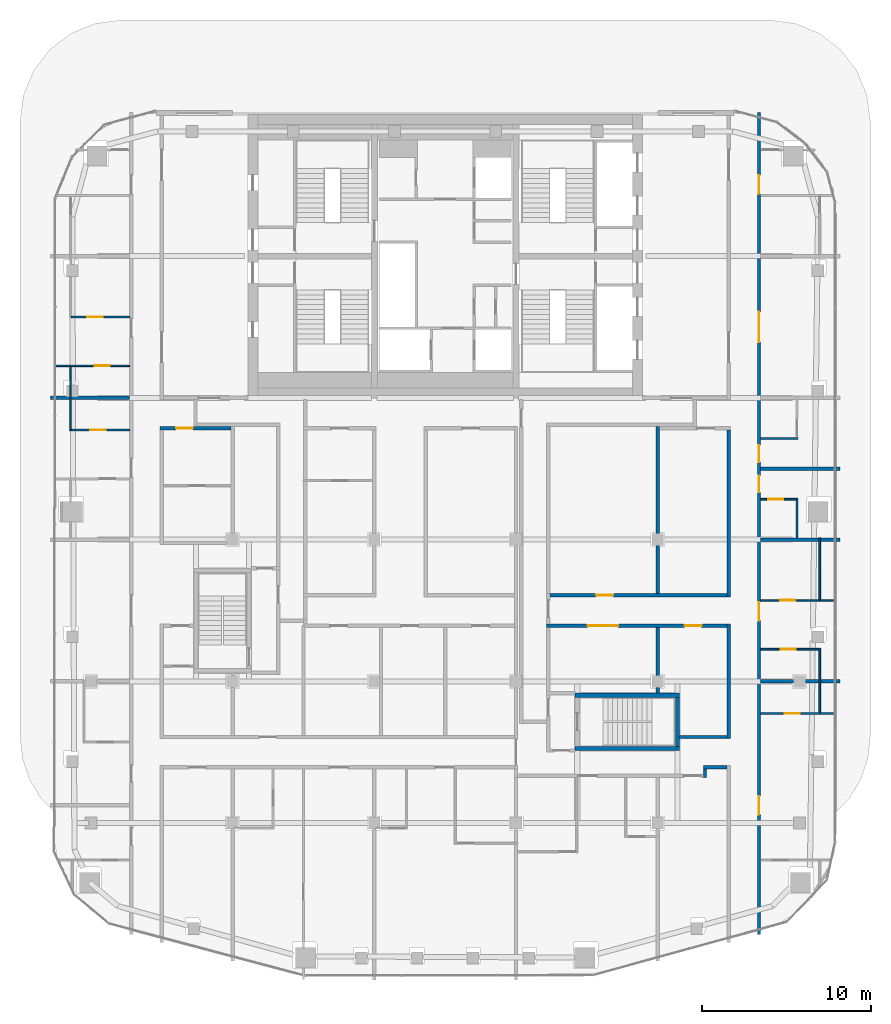
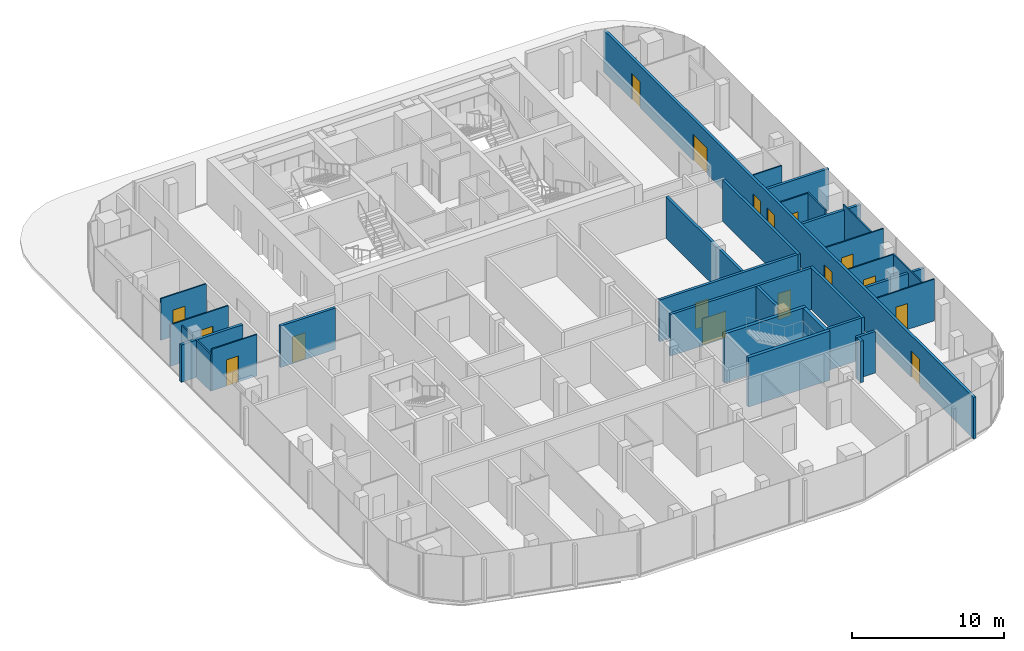
# One storey, part 16 of 21: 30 walls, 17 doors, 17 openings.
"""IFC4 building model written with IfcOpenShell, lengths in metres."""

from ifc_helpers import new_model, si_unit, direction, frame, frame_2d, origin, place, context, subcontext, project, spatial, rectangle, extrude, material, layer, layer_set, type_object, element, fill, save


model = new_model("IFC4")

# Units and contexts
model_context = context("Model", 3, precision=1e-05, world=origin(), true_north=direction((0.0, 1.0)))
body_context = subcontext(model_context, "Body", "Model", "MODEL_VIEW")
ifc_project = project(units=[si_unit("LENGTHUNIT", "METRE"), si_unit("AREAUNIT", "SQUARE_METRE"), si_unit("VOLUMEUNIT", "CUBIC_METRE"), si_unit("PLANEANGLEUNIT", "RADIAN"), si_unit("MASSUNIT", "GRAM", prefix="KILO")], contexts=[model_context])

# Site, building, storey
site_placement = place(None, origin())
site = spatial("IfcSite", under=ifc_project, at=site_placement, CompositionType="ELEMENT")
building_placement = place(site_placement, origin())
building = spatial("IfcBuilding", under=site, at=building_placement, Name="Marenta Gate Hotel Tower", CompositionType="ELEMENT")
storey_placement = place(building_placement, frame((0.0, 0.0, 266.89990234375)))
storey = spatial("IfcBuildingStorey", under=building, at=storey_placement, Name="L61", CompositionType="ELEMENT", Elevation=266.89990234375)

# Walls
ifc_material_1 = material(Name="Concrete C40", Category="concrete")
ifc_layer_1 = layer(ifc_material_1, 0.25)
ifc_layer_set_1 = layer_set([ifc_layer_1], Name="Concrete C40")
wall_type_1 = type_object("IfcWallType", Name="Remote stair enclosure wall 250 REI 180", PredefinedType="SHEAR", material=ifc_layer_set_1)
for number, where, z_axis, x_axis, name in (
    (1, (7.699951171875, -20.77490234375, -0.260009765625), (0.0, 0.0, 1.0), (1.0, 0.0, 0.0), "L61-RS-Z4-1-W1"),
    (2, (7.699951171875, -17.625, -0.260009765625), (0.0, 0.0, 1.0), (1.0, 0.0, 0.0), "L61-RS-Z4-1-W2"),
):
    element("IfcWall", number, at=place(storey_placement, frame(where, z_axis=z_axis, x_axis=x_axis)), inside=storey, type_object=wall_type_1, Name=name, PredefinedType="SHEAR", context=body_context, shape_type="SweptSolid", body=[
        extrude(rectangle(XDim=6.199951171875, YDim=0.25, at=frame_2d((3.10009765625, 0.0))), origin(), (0.0, 0.0, 1.0), 3.960205078125),
    ])
wall_1_placement = place(storey_placement, frame((13.77490234375, -20.64990234375, -0.260009765625), z_axis=(0.0, 0.0, 1.0), x_axis=(0.0, 1.0, 0.0)))
element("IfcWall", 3, at=wall_1_placement, inside=storey, type_object=wall_type_1, Name="L61-RS-Z4-1-W4", PredefinedType="SHEAR", context=body_context, shape_type="SweptSolid", body=[
    extrude(rectangle(XDim=2.89990234375, YDim=0.25, at=frame_2d((1.449951171875, 0.0))), origin(), (0.0, 0.0, 1.0), 3.960205078125),
])
ifc_material_2 = material(Name="Gypsum board on steel stud", Category="steel")
ifc_layer_2 = layer(ifc_material_2, 0.199951171875)
ifc_layer_set_2 = layer_set([ifc_layer_2], Name="Gypsum board on steel stud")
wall_type_2 = type_object("IfcWallType", Name="Room corridor wall 200 EI 60", PredefinedType="PARTITIONING", material=ifc_layer_set_2)
wall_2_placement = place(storey_placement, frame((15.300048828125, -21.89990234375, 0.0), z_axis=(0.0, 0.0, 1.0), x_axis=(1.0, 0.0, 0.0)))
element("IfcWall", 4, at=wall_2_placement, inside=storey, type_object=wall_type_2, Name="L61-PTN-W017", PredefinedType="PARTITIONING", context=body_context, shape_type="SweptSolid", body=[
    extrude(rectangle(XDim=1.39990234375, YDim=0.199951171875, at=frame_2d((0.699951171875, 0.0))), origin(), (0.0, 0.0, 1.0), 3.340087890625),
])
wall_3_placement = place(storey_placement, frame((13.89990234375, -20.10009765625, 0.0), z_axis=(0.0, 0.0, 1.0), x_axis=(1.0, 0.0, 0.0)))
element("IfcWall", 5, at=wall_3_placement, inside=storey, type_object=wall_type_2, Name="L61-PTN-W023", PredefinedType="PARTITIONING", context=body_context, shape_type="SweptSolid", body=[
    extrude(rectangle(XDim=2.800048828125, YDim=0.199951171875, at=frame_2d((1.39990234375, 0.0))), origin(), (0.0, 0.0, 1.0), 3.340087890625),
])

# Wall, openings, doors
wall_4_placement = place(storey_placement, frame((18.60009765625, -31.7939453125, 0.0), z_axis=(0.0, 0.0, 1.0), x_axis=(0.0, 1.0, 0.0)))
wall_4 = element("IfcWall", 6, at=wall_4_placement, inside=storey, type_object=wall_type_2, Name="L61-PTN-W026", PredefinedType="PARTITIONING", context=body_context, shape_type="SweptSolid", body=[
    extrude(rectangle(XDim=48.697021484375, YDim=0.199951171875, at=frame_2d((24.3486328125, 0.0))), origin(), (0.0, 0.0, 1.0), 3.340087890625),
])
opening_1_placement = place(wall_4_placement, frame((7.096923828125, 0.0, 0.0)))
opening_1 = element("IfcOpeningElement", 7, at=opening_1_placement, cuts=wall_4, Name="Opening G22-14", PredefinedType="OPENING", context=body_context, shape_type="SweptSolid", body=[
    extrude(rectangle(XDim=1.10009765625, YDim=2.10009765625, at=frame_2d((0.550048828125, 1.050048828125))), frame((0.0, 0.10009765625, 0.0), z_axis=(0.0, -1.0, 0.0), x_axis=(1.0, 0.0, 0.0)), (0.0, 0.0, 1.0), 0.199951171875),
])
opening_2_placement = place(wall_4_placement, frame((18.593994140625, 0.0, 0.0)))
opening_2 = element("IfcOpeningElement", 8, at=opening_2_placement, cuts=wall_4, Name="Opening G22-17", PredefinedType="OPENING", context=body_context, shape_type="SweptSolid", body=[
    extrude(rectangle(XDim=1.10009765625, YDim=2.10009765625, at=frame_2d((0.550048828125, 1.050048828125))), frame((0.0, 0.10009765625, 0.0), z_axis=(0.0, -1.0, 0.0), x_axis=(1.0, 0.0, 0.0)), (0.0, 0.0, 1.0), 0.199951171875),
])
opening_3_placement = place(wall_4_placement, frame((26.194091796875, 0.0, 0.0)))
opening_3 = element("IfcOpeningElement", 9, at=opening_3_placement, cuts=wall_4, Name="Opening G22-20", PredefinedType="OPENING", context=body_context, shape_type="SweptSolid", body=[
    extrude(rectangle(XDim=1.0, YDim=2.10009765625, at=frame_2d((0.5, 1.050048828125))), frame((0.0, 0.10009765625, 0.0), z_axis=(0.0, -1.0, 0.0), x_axis=(1.0, 0.0, 0.0)), (0.0, 0.0, 1.0), 0.199951171875),
])
opening_4_placement = place(wall_4_placement, frame((27.993896484375, 0.0, 0.0)))
opening_4 = element("IfcOpeningElement", 10, at=opening_4_placement, cuts=wall_4, Name="Opening G22-22", PredefinedType="OPENING", context=body_context, shape_type="SweptSolid", body=[
    extrude(rectangle(XDim=1.0, YDim=2.10009765625, at=frame_2d((0.5, 1.050048828125))), frame((0.0, 0.10009765625, 0.0), z_axis=(0.0, -1.0, 0.0), x_axis=(1.0, 0.0, 0.0)), (0.0, 0.0, 1.0), 0.199951171875),
])
opening_5_placement = place(wall_4_placement, frame((35.093994140625, 0.0, 0.0)))
opening_5 = element("IfcOpeningElement", 11, at=opening_5_placement, cuts=wall_4, Name="Opening G22-24", PredefinedType="OPENING", context=body_context, shape_type="SweptSolid", body=[
    extrude(rectangle(XDim=1.800048828125, YDim=2.10009765625, at=frame_2d((0.89990234375, 1.050048828125))), frame((0.0, 0.10009765625, 0.0), z_axis=(0.0, -1.0, 0.0), x_axis=(1.0, 0.0, 0.0)), (0.0, 0.0, 1.0), 0.199951171875),
])
opening_6_placement = place(wall_4_placement, frame((43.89404296875, 0.0, 0.0)))
opening_6 = element("IfcOpeningElement", 12, at=opening_6_placement, cuts=wall_4, Name="Opening G22-25", PredefinedType="OPENING", context=body_context, shape_type="SweptSolid", body=[
    extrude(rectangle(XDim=1.10009765625, YDim=2.10009765625, at=frame_2d((0.550048828125, 1.050048828125))), frame((0.0, 0.10009765625, 0.0), z_axis=(0.0, -1.0, 0.0), x_axis=(1.0, 0.0, 0.0)), (0.0, 0.0, 1.0), 0.199951171875),
])
ifc_material_3 = material(Name="Timber door leaf", Category="wood")
door_type_1 = type_object("IfcDoorType", Name="Guest room door 1000x2100 EI 30", OperationType="NOTDEFINED", PredefinedType="DOOR", material=ifc_material_3)
door_1_placement = place(opening_3_placement, origin())
door_1 = element("IfcDoor", 13, at=door_1_placement, inside=storey, type_object=door_type_1, Name="L61-PD-D020", OperationType="SINGLE_SWING_RIGHT", OverallHeight=2.10009765625, OverallWidth=1.0, PredefinedType="DOOR", context=body_context, shape_type="SweptSolid", body=[
    extrude(rectangle(XDim=1.0, YDim=2.10009765625, at=frame_2d((0.5, 1.050048828125))), frame((0.0, 0.02490234375, 0.0), z_axis=(0.0, -1.0, 0.0), x_axis=(1.0, 0.0, 0.0)), (0.0, 0.0, 1.0), 0.050048828125),
])
fill(opening_3, door_1)
door_2_placement = place(opening_4_placement, origin())
door_2 = element("IfcDoor", 14, at=door_2_placement, inside=storey, type_object=door_type_1, Name="L61-PD-D022", OperationType="SINGLE_SWING_RIGHT", OverallHeight=2.10009765625, OverallWidth=1.0, PredefinedType="DOOR", context=body_context, shape_type="SweptSolid", body=[
    extrude(rectangle(XDim=1.0, YDim=2.10009765625, at=frame_2d((0.5, 1.050048828125))), frame((0.0, 0.02490234375, 0.0), z_axis=(0.0, -1.0, 0.0), x_axis=(1.0, 0.0, 0.0)), (0.0, 0.0, 1.0), 0.050048828125),
])
fill(opening_4, door_2)
ifc_material_4 = material(Name="Timber door leaf", Category="wood")
door_type_2 = type_object("IfcDoorType", Name="Guest room door 1100x2100 EI 30", OperationType="NOTDEFINED", PredefinedType="DOOR", material=ifc_material_4)
door_3_placement = place(opening_1_placement, origin())
door_3 = element("IfcDoor", 15, at=door_3_placement, inside=storey, type_object=door_type_2, Name="L61-PD-D014", OperationType="SINGLE_SWING_RIGHT", OverallHeight=2.10009765625, OverallWidth=1.10009765625, PredefinedType="DOOR", context=body_context, shape_type="SweptSolid", body=[
    extrude(rectangle(XDim=1.10009765625, YDim=2.10009765625, at=frame_2d((0.550048828125, 1.050048828125))), frame((0.0, 0.02490234375, 0.0), z_axis=(0.0, -1.0, 0.0), x_axis=(1.0, 0.0, 0.0)), (0.0, 0.0, 1.0), 0.050048828125),
])
fill(opening_1, door_3)
door_4_placement = place(opening_2_placement, origin())
door_4 = element("IfcDoor", 16, at=door_4_placement, inside=storey, type_object=door_type_2, Name="L61-PD-D017", OperationType="SINGLE_SWING_LEFT", OverallHeight=2.10009765625, OverallWidth=1.10009765625, PredefinedType="DOOR", context=body_context, shape_type="SweptSolid", body=[
    extrude(rectangle(XDim=1.10009765625, YDim=2.10009765625, at=frame_2d((0.550048828125, 1.050048828125))), frame((0.0, 0.02490234375, 0.0), z_axis=(0.0, -1.0, 0.0), x_axis=(1.0, 0.0, 0.0)), (0.0, 0.0, 1.0), 0.050048828125),
])
fill(opening_2, door_4)
door_5_placement = place(opening_6_placement, origin())
door_5 = element("IfcDoor", 17, at=door_5_placement, inside=storey, type_object=door_type_2, Name="L61-PD-D025", OperationType="SINGLE_SWING_RIGHT", OverallHeight=2.10009765625, OverallWidth=1.10009765625, PredefinedType="DOOR", context=body_context, shape_type="SweptSolid", body=[
    extrude(rectangle(XDim=1.10009765625, YDim=2.10009765625, at=frame_2d((0.550048828125, 1.050048828125))), frame((0.0, 0.02490234375, 0.0), z_axis=(0.0, -1.0, 0.0), x_axis=(1.0, 0.0, 0.0)), (0.0, 0.0, 1.0), 0.050048828125),
])
fill(opening_6, door_5)
ifc_material_5 = material(Name="Timber door leaf", Category="wood")
door_type_3 = type_object("IfcDoorType", Name="Room amenity door 1800x2100 EI 30", OperationType="DOUBLE_DOOR_SINGLE_SWING", PredefinedType="DOOR", material=ifc_material_5)
door_6_placement = place(opening_5_placement, origin())
door_6 = element("IfcDoor", 18, at=door_6_placement, inside=storey, type_object=door_type_3, Name="L61-PD-D024", OperationType="DOUBLE_DOOR_SINGLE_SWING", OverallHeight=2.10009765625, OverallWidth=1.800048828125, PredefinedType="DOOR", context=body_context, shape_type="SweptSolid", body=[
    extrude(rectangle(XDim=1.800048828125, YDim=2.10009765625, at=frame_2d((0.89990234375, 1.050048828125))), frame((0.0, 0.02490234375, 0.0), z_axis=(0.0, -1.0, 0.0), x_axis=(1.0, 0.0, 0.0)), (0.0, 0.0, 1.0), 0.050048828125),
])
fill(opening_5, door_6)

# Walls
wall_5_placement = place(storey_placement, frame((16.800048828125, -20.199951171875, 0.0), z_axis=(0.0, 0.0, 1.0), x_axis=(0.0, 1.0, 0.0)))
element("IfcWall", 19, at=wall_5_placement, inside=storey, type_object=wall_type_2, Name="L61-PTN-W029", PredefinedType="PARTITIONING", context=body_context, shape_type="SweptSolid", body=[
    extrude(rectangle(XDim=6.800048828125, YDim=0.199951171875, at=frame_2d((3.39990234375, 0.0))), origin(), (0.0, 0.0, 1.0), 3.340087890625),
])
wall_6_placement = place(storey_placement, frame((16.800048828125, -11.800048828125, 0.0), z_axis=(0.0, 0.0, 1.0), x_axis=(0.0, 1.0, 0.0)))
element("IfcWall", 20, at=wall_6_placement, inside=storey, type_object=wall_type_2, Name="L61-PTN-W030", PredefinedType="PARTITIONING", context=body_context, shape_type="SweptSolid", body=[
    extrude(rectangle(XDim=9.900146484375, YDim=0.199951171875, at=frame_2d((4.9501953125, 0.0))), origin(), (0.0, 0.0, 1.0), 3.340087890625),
])
wall_7_placement = place(storey_placement, frame((15.39990234375, -22.5, 0.0), z_axis=(0.0, 0.0, 1.0), x_axis=(0.0, 1.0, 0.0)))
element("IfcWall", 21, at=wall_7_placement, inside=storey, type_object=wall_type_2, Name="L61-PTN-W035", PredefinedType="PARTITIONING", context=body_context, shape_type="SweptSolid", body=[
    extrude(rectangle(XDim=0.5, YDim=0.199951171875, at=frame_2d((0.25, 0.0))), origin(), (0.0, 0.0, 1.0), 3.340087890625),
])

# Wall, openings, doors
wall_8_placement = place(storey_placement, frame((6.0, -13.5, 0.0), z_axis=(0.0, 0.0, 1.0), x_axis=(1.0, 0.0, 0.0)))
wall_8 = element("IfcWall", 22, at=wall_8_placement, inside=storey, type_object=wall_type_2, Name="L61-PTN-W040", PredefinedType="PARTITIONING", context=body_context, shape_type="SweptSolid", body=[
    extrude(rectangle(XDim=10.699951171875, YDim=0.199951171875, at=frame_2d((5.35009765625, 0.0))), origin(), (0.0, 0.0, 1.0), 3.340087890625),
])
opening_7_placement = place(wall_8_placement, frame((2.449951171875, 0.0, 0.0)))
opening_7 = element("IfcOpeningElement", 23, at=opening_7_placement, cuts=wall_8, Name="Opening G22-12", PredefinedType="OPENING", context=body_context, shape_type="SweptSolid", body=[
    extrude(rectangle(XDim=1.800048828125, YDim=2.10009765625, at=frame_2d((0.89990234375, 1.050048828125))), frame((0.0, 0.10009765625, 0.0), z_axis=(0.0, -1.0, 0.0), x_axis=(1.0, 0.0, 0.0)), (0.0, 0.0, 1.0), 0.199951171875),
])
opening_8_placement = place(wall_8_placement, frame((8.199951171875, 0.0, 0.0)))
opening_8 = element("IfcOpeningElement", 24, at=opening_8_placement, cuts=wall_8, Name="Opening G22-13", PredefinedType="OPENING", context=body_context, shape_type="SweptSolid", body=[
    extrude(rectangle(XDim=1.0, YDim=2.10009765625, at=frame_2d((0.5, 1.050048828125))), frame((0.0, 0.10009765625, 0.0), z_axis=(0.0, -1.0, 0.0), x_axis=(1.0, 0.0, 0.0)), (0.0, 0.0, 1.0), 0.199951171875),
])
ifc_material_6 = material(Name="Timber door leaf", Category="wood")
door_type_4 = type_object("IfcDoorType", Name="Room amenity door 1000x2100 EI 30", OperationType="NOTDEFINED", PredefinedType="DOOR", material=ifc_material_6)
door_7_placement = place(opening_8_placement, origin())
door_7 = element("IfcDoor", 25, at=door_7_placement, inside=storey, type_object=door_type_4, Name="L61-PD-D013", OperationType="SINGLE_SWING_RIGHT", OverallHeight=2.10009765625, OverallWidth=1.0, PredefinedType="DOOR", context=body_context, shape_type="SweptSolid", body=[
    extrude(rectangle(XDim=1.0, YDim=2.10009765625, at=frame_2d((0.5, 1.050048828125))), frame((0.0, 0.02490234375, 0.0), z_axis=(0.0, -1.0, 0.0), x_axis=(1.0, 0.0, 0.0)), (0.0, 0.0, 1.0), 0.050048828125),
])
fill(opening_8, door_7)
door_8_placement = place(opening_7_placement, origin())
door_8 = element("IfcDoor", 26, at=door_8_placement, inside=storey, type_object=door_type_3, Name="L61-PD-D012", OperationType="DOUBLE_DOOR_SINGLE_SWING", OverallHeight=2.10009765625, OverallWidth=1.800048828125, PredefinedType="DOOR", context=body_context, shape_type="SweptSolid", body=[
    extrude(rectangle(XDim=1.800048828125, YDim=2.10009765625, at=frame_2d((0.89990234375, 1.050048828125))), frame((0.0, 0.02490234375, 0.0), z_axis=(0.0, -1.0, 0.0), x_axis=(1.0, 0.0, 0.0)), (0.0, 0.0, 1.0), 0.050048828125),
])
fill(opening_7, door_8)

# Wall, opening, door
wall_9_placement = place(storey_placement, frame((6.199951171875, -11.699951171875, 0.0), z_axis=(0.0, 0.0, 1.0), x_axis=(1.0, 0.0, 0.0)))
wall_9 = element("IfcWall", 27, at=wall_9_placement, inside=storey, type_object=wall_type_2, Name="L61-PTN-W048", PredefinedType="PARTITIONING", context=body_context, shape_type="SweptSolid", body=[
    extrude(rectangle(XDim=10.5, YDim=0.199951171875, at=frame_2d((5.25, 0.0))), origin(), (0.0, 0.0, 1.0), 3.340087890625),
])
opening_9_placement = place(wall_9_placement, frame((2.75, 0.0, 0.0)))
opening_9 = element("IfcOpeningElement", 28, at=opening_9_placement, cuts=wall_9, Name="Opening G22-57", PredefinedType="OPENING", context=body_context, shape_type="SweptSolid", body=[
    extrude(rectangle(XDim=1.0, YDim=2.10009765625, at=frame_2d((0.5, 1.050048828125))), frame((0.0, 0.10009765625, 0.0), z_axis=(0.0, -1.0, 0.0), x_axis=(1.0, 0.0, 0.0)), (0.0, 0.0, 1.0), 0.199951171875),
])
door_9_placement = place(opening_9_placement, origin())
door_9 = element("IfcDoor", 29, at=door_9_placement, inside=storey, type_object=door_type_4, Name="L61-PD-D057", OperationType="SINGLE_SWING_LEFT", OverallHeight=2.10009765625, OverallWidth=1.0, PredefinedType="DOOR", context=body_context, shape_type="SweptSolid", body=[
    extrude(rectangle(XDim=1.0, YDim=2.10009765625, at=frame_2d((0.5, 1.050048828125))), frame((0.0, 0.02490234375, 0.0), z_axis=(0.0, -1.0, 0.0), x_axis=(1.0, 0.0, 0.0)), (0.0, 0.0, 1.0), 0.050048828125),
])
fill(opening_9, door_9)

wall_10_placement = place(storey_placement, frame((-16.89990234375, -1.800048828125, 0.0), z_axis=(0.0, 0.0, 1.0), x_axis=(1.0, 0.0, 0.0)))
wall_10 = element("IfcWall", 30, at=wall_10_placement, inside=storey, type_object=wall_type_2, Name="L61-PTN-W071", PredefinedType="PARTITIONING", context=body_context, shape_type="SweptSolid", body=[
    extrude(rectangle(XDim=4.199951171875, YDim=0.199951171875, at=frame_2d((2.10009765625, 0.0))), origin(), (0.0, 0.0, 1.0), 3.340087890625),
])
opening_10_placement = place(wall_10_placement, frame((0.949951171875, 0.0, 0.0)))
opening_10 = element("IfcOpeningElement", 31, at=opening_10_placement, cuts=wall_10, Name="Opening G22-01", PredefinedType="OPENING", context=body_context, shape_type="SweptSolid", body=[
    extrude(rectangle(XDim=1.0, YDim=2.10009765625, at=frame_2d((0.5, 1.050048828125))), frame((0.0, 0.10009765625, 0.0), z_axis=(0.0, -1.0, 0.0), x_axis=(1.0, 0.0, 0.0)), (0.0, 0.0, 1.0), 0.199951171875),
])
ifc_material_7 = material(Name="Hollow steel door set", Category="steel")
door_type_5 = type_object("IfcDoorType", Name="Room service door 1000x2100 EI 30", OperationType="NOTDEFINED", PredefinedType="DOOR", material=ifc_material_7)
door_10_placement = place(opening_10_placement, origin())
door_10 = element("IfcDoor", 32, at=door_10_placement, inside=storey, type_object=door_type_5, Name="L61-PD-D001", OperationType="SINGLE_SWING_LEFT", OverallHeight=2.10009765625, OverallWidth=1.0, PredefinedType="DOOR", context=body_context, shape_type="SweptSolid", body=[
    extrude(rectangle(XDim=1.0, YDim=2.10009765625, at=frame_2d((0.5, 1.050048828125))), frame((0.0, 0.02490234375, 0.0), z_axis=(0.0, -1.0, 0.0), x_axis=(1.0, 0.0, 0.0)), (0.0, 0.0, 1.0), 0.050048828125),
])
fill(opening_10, door_10)

# Walls
ifc_material_8 = material(Name="Gypsum board on steel stud", Category="steel")
ifc_layer_3 = layer(ifc_material_8, 0.10009765625)
ifc_layer_set_3 = layer_set([ifc_layer_3], Name="Gypsum board on steel stud")
wall_type_3 = type_object("IfcWallType", Name="Room partition 100", PredefinedType="PARTITIONING", material=ifc_layer_set_3)
wall_11_placement = place(storey_placement, frame((22.199951171875, -18.64990234375, 0.0), z_axis=(0.0, 0.0, 1.0), x_axis=(0.0, 1.0, 0.0)))
element("IfcWall", 33, at=wall_11_placement, inside=storey, type_object=wall_type_3, Name="L61-PTN-W013", PredefinedType="PARTITIONING", context=body_context, shape_type="SweptSolid", body=[
    extrude(rectangle(XDim=3.7998046875, YDim=0.10009765625, at=frame_2d((1.89990234375, 0.0))), origin(), (0.0, 0.0, 1.0), 3.340087890625),
])
wall_12_placement = place(storey_placement, frame((22.199951171875, -11.949951171875, 0.0), z_axis=(0.0, 0.0, 1.0), x_axis=(0.0, 1.0, 0.0)))
element("IfcWall", 34, at=wall_12_placement, inside=storey, type_object=wall_type_3, Name="L61-PTN-W014", PredefinedType="PARTITIONING", context=body_context, shape_type="SweptSolid", body=[
    extrude(rectangle(XDim=3.64990234375, YDim=0.10009765625, at=frame_2d((1.824951171875, 0.0))), origin(), (0.0, 0.0, 1.0), 3.340087890625),
])
wall_13_placement = place(storey_placement, frame((20.85009765625, -8.300048828125, 0.0), z_axis=(0.0, 0.0, 1.0), x_axis=(0.0, 1.0, 0.0)))
element("IfcWall", 35, at=wall_13_placement, inside=storey, type_object=wall_type_3, Name="L61-PTN-W019", PredefinedType="PARTITIONING", context=body_context, shape_type="SweptSolid", body=[
    extrude(rectangle(XDim=2.35009765625, YDim=0.10009765625, at=frame_2d((1.175048828125, 0.0))), origin(), (0.0, 0.0, 1.0), 3.340087890625),
])

# Wall, opening, door
wall_14_placement = place(storey_placement, frame((18.699951171875, -18.699951171875, 0.0), z_axis=(0.0, 0.0, 1.0), x_axis=(1.0, 0.0, 0.0)))
wall_14 = element("IfcWall", 36, at=wall_14_placement, inside=storey, type_object=wall_type_3, Name="L61-PTN-W025", PredefinedType="PARTITIONING", context=body_context, shape_type="SweptSolid", body=[
    extrude(rectangle(XDim=4.384033203125, YDim=0.10009765625, at=frame_2d((2.19189453125, 0.0))), origin(), (0.0, 0.0, 1.0), 3.340087890625),
])
opening_11_placement = place(wall_14_placement, frame((1.429931640625, 0.0, 0.0)))
opening_11 = element("IfcOpeningElement", 37, at=opening_11_placement, cuts=wall_14, Name="Opening G22-16", PredefinedType="OPENING", context=body_context, shape_type="SweptSolid", body=[
    extrude(rectangle(XDim=0.89990234375, YDim=2.10009765625, at=frame_2d((0.449951171875, 1.050048828125))), frame((0.0, 0.050048828125, 0.0), z_axis=(0.0, -1.0, 0.0), x_axis=(1.0, 0.0, 0.0)), (0.0, 0.0, 1.0), 0.10009765625),
])
ifc_material_9 = material(Name="Timber door leaf", Category="wood")
door_type_6 = type_object("IfcDoorType", Name="Room inner door 900x2100", OperationType="NOTDEFINED", PredefinedType="DOOR", material=ifc_material_9)
door_11_placement = place(opening_11_placement, origin())
door_11 = element("IfcDoor", 38, at=door_11_placement, inside=storey, type_object=door_type_6, Name="L61-PD-D016", OperationType="SINGLE_SWING_RIGHT", OverallHeight=2.10009765625, OverallWidth=0.89990234375, PredefinedType="DOOR", context=body_context, shape_type="SweptSolid", body=[
    extrude(rectangle(XDim=0.89990234375, YDim=2.10009765625, at=frame_2d((0.449951171875, 1.050048828125))), frame((0.0, 0.02490234375, 0.0), z_axis=(0.0, -1.0, 0.0), x_axis=(1.0, 0.0, 0.0)), (0.0, 0.0, 1.0), 0.050048828125),
])
fill(opening_11, door_11)

wall_15_placement = place(storey_placement, frame((18.699951171875, -14.89990234375, 0.0), z_axis=(0.0, 0.0, 1.0), x_axis=(1.0, 0.0, 0.0)))
wall_15 = element("IfcWall", 39, at=wall_15_placement, inside=storey, type_object=wall_type_3, Name="L61-PTN-W036", PredefinedType="PARTITIONING", context=body_context, shape_type="SweptSolid", body=[
    extrude(rectangle(XDim=3.449951171875, YDim=0.10009765625, at=frame_2d((1.72509765625, 0.0))), origin(), (0.0, 0.0, 1.0), 3.340087890625),
])
opening_12_placement = place(wall_15_placement, frame((1.179931640625, 0.0, 0.0)))
opening_12 = element("IfcOpeningElement", 40, at=opening_12_placement, cuts=wall_15, Name="Opening G22-19", PredefinedType="OPENING", context=body_context, shape_type="SweptSolid", body=[
    extrude(rectangle(XDim=0.89990234375, YDim=2.10009765625, at=frame_2d((0.449951171875, 1.050048828125))), frame((0.0, 0.050048828125, 0.0), z_axis=(0.0, -1.0, 0.0), x_axis=(1.0, 0.0, 0.0)), (0.0, 0.0, 1.0), 0.10009765625),
])
door_12_placement = place(opening_12_placement, origin())
door_12 = element("IfcDoor", 41, at=door_12_placement, inside=storey, type_object=door_type_6, Name="L61-PD-D019", OperationType="SINGLE_SWING_LEFT", OverallHeight=2.10009765625, OverallWidth=0.89990234375, PredefinedType="DOOR", context=body_context, shape_type="SweptSolid", body=[
    extrude(rectangle(XDim=0.89990234375, YDim=2.10009765625, at=frame_2d((0.449951171875, 1.050048828125))), frame((0.0, 0.02490234375, 0.0), z_axis=(0.0, -1.0, 0.0), x_axis=(1.0, 0.0, 0.0)), (0.0, 0.0, 1.0), 0.050048828125),
])
fill(opening_12, door_12)

wall_16_placement = place(storey_placement, frame((18.699951171875, -12.0, 0.0), z_axis=(0.0, 0.0, 1.0), x_axis=(1.0, 0.0, 0.0)))
wall_16 = element("IfcWall", 42, at=wall_16_placement, inside=storey, type_object=wall_type_3, Name="L61-PTN-W045", PredefinedType="PARTITIONING", context=body_context, shape_type="SweptSolid", body=[
    extrude(rectangle(XDim=4.384033203125, YDim=0.10009765625, at=frame_2d((2.19189453125, 0.0))), origin(), (0.0, 0.0, 1.0), 3.340087890625),
])
opening_13_placement = place(wall_16_placement, frame((1.159912109375, 0.0, 0.0)))
opening_13 = element("IfcOpeningElement", 43, at=opening_13_placement, cuts=wall_16, Name="Opening G22-18", PredefinedType="OPENING", context=body_context, shape_type="SweptSolid", body=[
    extrude(rectangle(XDim=0.89990234375, YDim=2.10009765625, at=frame_2d((0.449951171875, 1.050048828125))), frame((0.0, 0.050048828125, 0.0), z_axis=(0.0, -1.0, 0.0), x_axis=(1.0, 0.0, 0.0)), (0.0, 0.0, 1.0), 0.10009765625),
])
ifc_material_10 = material(Name="Timber door leaf", Category="wood")
door_type_7 = type_object("IfcDoorType", Name="Guest bathroom door 900x2100", OperationType="NOTDEFINED", PredefinedType="DOOR", material=ifc_material_10)
door_13_placement = place(opening_13_placement, origin())
door_13 = element("IfcDoor", 44, at=door_13_placement, inside=storey, type_object=door_type_7, Name="L61-PD-D018", OperationType="SINGLE_SWING_LEFT", OverallHeight=2.10009765625, OverallWidth=0.89990234375, PredefinedType="DOOR", context=body_context, shape_type="SweptSolid", body=[
    extrude(rectangle(XDim=0.89990234375, YDim=2.10009765625, at=frame_2d((0.449951171875, 1.050048828125))), frame((0.0, 0.02490234375, 0.0), z_axis=(0.0, -1.0, 0.0), x_axis=(1.0, 0.0, 0.0)), (0.0, 0.0, 1.0), 0.050048828125),
])
fill(opening_13, door_13)

wall_17_placement = place(storey_placement, frame((18.699951171875, -6.0, 0.0), z_axis=(0.0, 0.0, 1.0), x_axis=(1.0, 0.0, 0.0)))
wall_17 = element("IfcWall", 45, at=wall_17_placement, inside=storey, type_object=wall_type_3, Name="L61-PTN-W059", PredefinedType="PARTITIONING", context=body_context, shape_type="SweptSolid", body=[
    extrude(rectangle(XDim=2.10009765625, YDim=0.10009765625, at=frame_2d((1.050048828125, 0.0))), origin(), (0.0, 0.0, 1.0), 3.340087890625),
])
opening_14_placement = place(wall_17_placement, frame((0.43798828125, 0.0, 0.0)))
opening_14 = element("IfcOpeningElement", 46, at=opening_14_placement, cuts=wall_17, Name="Opening G22-21", PredefinedType="OPENING", context=body_context, shape_type="SweptSolid", body=[
    extrude(rectangle(XDim=0.89990234375, YDim=2.10009765625, at=frame_2d((0.449951171875, 1.050048828125))), frame((0.0, 0.050048828125, 0.0), z_axis=(0.0, -1.0, 0.0), x_axis=(1.0, 0.0, 0.0)), (0.0, 0.0, 1.0), 0.10009765625),
])
door_14_placement = place(opening_14_placement, origin())
door_14 = element("IfcDoor", 47, at=door_14_placement, inside=storey, type_object=door_type_7, Name="L61-PD-D021", OperationType="SINGLE_SWING_RIGHT", OverallHeight=2.10009765625, OverallWidth=0.89990234375, PredefinedType="DOOR", context=body_context, shape_type="SweptSolid", body=[
    extrude(rectangle(XDim=0.89990234375, YDim=2.10009765625, at=frame_2d((0.449951171875, 1.050048828125))), frame((0.0, 0.02490234375, 0.0), z_axis=(0.0, -1.0, 0.0), x_axis=(1.0, 0.0, 0.0)), (0.0, 0.0, 1.0), 0.050048828125),
])
fill(opening_14, door_14)

# Wall
wall_18_placement = place(storey_placement, frame((18.699951171875, -2.39990234375, 0.0), z_axis=(0.0, 0.0, 1.0), x_axis=(1.0, 0.0, 0.0)))
element("IfcWall", 48, at=wall_18_placement, inside=storey, type_object=wall_type_3, Name="L61-PTN-W069", PredefinedType="PARTITIONING", context=body_context, shape_type="SweptSolid", body=[
    extrude(rectangle(XDim=2.199951171875, YDim=0.10009765625, at=frame_2d((1.10009765625, 0.0))), origin(), (0.0, 0.0, 1.0), 3.340087890625),
])

# Wall, opening, door
wall_19_placement = place(storey_placement, frame((-22.14990234375, -1.89990234375, 0.0), z_axis=(0.0, 0.0, 1.0), x_axis=(1.0, 0.0, 0.0)))
wall_19 = element("IfcWall", 49, at=wall_19_placement, inside=storey, type_object=wall_type_3, Name="L61-PTN-W070", PredefinedType="PARTITIONING", context=body_context, shape_type="SweptSolid", body=[
    extrude(rectangle(XDim=3.449951171875, YDim=0.10009765625, at=frame_2d((1.72509765625, 0.0))), origin(), (0.0, 0.0, 1.0), 3.340087890625),
])
opening_15_placement = place(wall_19_placement, frame((1.1201171875, 0.0, 0.0)))
opening_15 = element("IfcOpeningElement", 50, at=opening_15_placement, cuts=wall_19, Name="Opening G22-46", PredefinedType="OPENING", context=body_context, shape_type="SweptSolid", body=[
    extrude(rectangle(XDim=0.89990234375, YDim=2.10009765625, at=frame_2d((0.449951171875, 1.050048828125))), frame((0.0, 0.050048828125, 0.0), z_axis=(0.0, -1.0, 0.0), x_axis=(1.0, 0.0, 0.0)), (0.0, 0.0, 1.0), 0.10009765625),
])
door_15_placement = place(opening_15_placement, origin())
door_15 = element("IfcDoor", 51, at=door_15_placement, inside=storey, type_object=door_type_6, Name="L61-PD-D046", OperationType="SINGLE_SWING_LEFT", OverallHeight=2.10009765625, OverallWidth=0.89990234375, PredefinedType="DOOR", context=body_context, shape_type="SweptSolid", body=[
    extrude(rectangle(XDim=0.89990234375, YDim=2.10009765625, at=frame_2d((0.449951171875, 1.050048828125))), frame((0.0, 0.02490234375, 0.0), z_axis=(0.0, -1.0, 0.0), x_axis=(1.0, 0.0, 0.0)), (0.0, 0.0, 1.0), 0.050048828125),
])
fill(opening_15, door_15)

wall_20_placement = place(storey_placement, frame((-23.097900390625, 1.89990234375, 0.0), z_axis=(0.0, 0.0, 1.0), x_axis=(1.0, 0.0, 0.0)))
wall_20 = element("IfcWall", 52, at=wall_20_placement, inside=storey, type_object=wall_type_3, Name="L61-PTN-W083", PredefinedType="PARTITIONING", context=body_context, shape_type="SweptSolid", body=[
    extrude(rectangle(XDim=4.39794921875, YDim=0.10009765625, at=frame_2d((2.198974609375, 0.0))), origin(), (0.0, 0.0, 1.0), 3.340087890625),
])
opening_16_placement = place(wall_20_placement, frame((2.318115234375, 0.0, 0.0)))
opening_16 = element("IfcOpeningElement", 53, at=opening_16_placement, cuts=wall_20, Name="Opening G22-49", PredefinedType="OPENING", context=body_context, shape_type="SweptSolid", body=[
    extrude(rectangle(XDim=0.89990234375, YDim=2.10009765625, at=frame_2d((0.449951171875, 1.050048828125))), frame((0.0, 0.050048828125, 0.0), z_axis=(0.0, -1.0, 0.0), x_axis=(1.0, 0.0, 0.0)), (0.0, 0.0, 1.0), 0.10009765625),
])
door_16_placement = place(opening_16_placement, origin())
door_16 = element("IfcDoor", 54, at=door_16_placement, inside=storey, type_object=door_type_6, Name="L61-PD-D049", OperationType="SINGLE_SWING_RIGHT", OverallHeight=2.10009765625, OverallWidth=0.89990234375, PredefinedType="DOOR", context=body_context, shape_type="SweptSolid", body=[
    extrude(rectangle(XDim=0.89990234375, YDim=2.10009765625, at=frame_2d((0.449951171875, 1.050048828125))), frame((0.0, 0.02490234375, 0.0), z_axis=(0.0, -1.0, 0.0), x_axis=(1.0, 0.0, 0.0)), (0.0, 0.0, 1.0), 0.050048828125),
])
fill(opening_16, door_16)

wall_21_placement = place(storey_placement, frame((-22.14990234375, 4.800048828125, 0.0), z_axis=(0.0, 0.0, 1.0), x_axis=(1.0, 0.0, 0.0)))
wall_21 = element("IfcWall", 55, at=wall_21_placement, inside=storey, type_object=wall_type_3, Name="L61-PTN-W088", PredefinedType="PARTITIONING", context=body_context, shape_type="SweptSolid", body=[
    extrude(rectangle(XDim=3.449951171875, YDim=0.10009765625, at=frame_2d((1.72509765625, 0.0))), origin(), (0.0, 0.0, 1.0), 3.340087890625),
])
opening_17_placement = place(wall_21_placement, frame((0.93994140625, 0.0, 0.0)))
opening_17 = element("IfcOpeningElement", 56, at=opening_17_placement, cuts=wall_21, Name="Opening G22-48", PredefinedType="OPENING", context=body_context, shape_type="SweptSolid", body=[
    extrude(rectangle(XDim=0.89990234375, YDim=2.10009765625, at=frame_2d((0.449951171875, 1.050048828125))), frame((0.0, 0.050048828125, 0.0), z_axis=(0.0, -1.0, 0.0), x_axis=(1.0, 0.0, 0.0)), (0.0, 0.0, 1.0), 0.10009765625),
])
door_17_placement = place(opening_17_placement, origin())
door_17 = element("IfcDoor", 57, at=door_17_placement, inside=storey, type_object=door_type_7, Name="L61-PD-D048", OperationType="SINGLE_SWING_LEFT", OverallHeight=2.10009765625, OverallWidth=0.89990234375, PredefinedType="DOOR", context=body_context, shape_type="SweptSolid", body=[
    extrude(rectangle(XDim=0.89990234375, YDim=2.10009765625, at=frame_2d((0.449951171875, 1.050048828125))), frame((0.0, 0.02490234375, 0.0), z_axis=(0.0, -1.0, 0.0), x_axis=(1.0, 0.0, 0.0)), (0.0, 0.0, 1.0), 0.050048828125),
])
fill(opening_17, door_17)

# Walls
wall_22_placement = place(storey_placement, frame((-22.199951171875, -1.949951171875, 0.0), z_axis=(0.0, 0.0, 1.0), x_axis=(0.0, 1.0, 0.0)))
element("IfcWall", 58, at=wall_22_placement, inside=storey, type_object=wall_type_3, Name="L61-PTN-W115", PredefinedType="PARTITIONING", context=body_context, shape_type="SweptSolid", body=[
    extrude(rectangle(XDim=3.800048828125, YDim=0.10009765625, at=frame_2d((1.89990234375, 0.0))), origin(), (0.0, 0.0, 1.0), 3.0),
])
ifc_material_11 = material(Name="Gypsum board on steel stud", Category="steel")
ifc_layer_4 = layer(ifc_material_11, 0.199951171875)
ifc_layer_set_4 = layer_set([ifc_layer_4], Name="Gypsum board on steel stud")
wall_type_4 = type_object("IfcWallType", Name="Room party wall 200 EI 60", PredefinedType="PARTITIONING", material=ifc_layer_set_4)
wall_23_placement = place(storey_placement, frame((18.699951171875, -16.800048828125, 0.0), z_axis=(0.0, 0.0, 1.0), x_axis=(1.0, 0.0, 0.0)))
element("IfcWall", 59, at=wall_23_placement, inside=storey, type_object=wall_type_4, Name="L61-PTN-W032", PredefinedType="PARTITIONING", context=body_context, shape_type="SweptSolid", body=[
    extrude(rectangle(XDim=4.699951171875, YDim=0.199951171875, at=frame_2d((2.35009765625, 0.0))), origin(), (0.0, 0.0, 1.0), 3.0),
])
wall_24_placement = place(storey_placement, frame((12.60009765625, -17.5, 0.0), z_axis=(0.0, 0.0, 1.0), x_axis=(0.0, 1.0, 0.0)))
element("IfcWall", 60, at=wall_24_placement, inside=storey, type_object=wall_type_4, Name="L61-PTN-W043", PredefinedType="PARTITIONING", context=body_context, shape_type="SweptSolid", body=[
    extrude(rectangle(XDim=3.89990234375, YDim=0.199951171875, at=frame_2d((1.949951171875, 0.0))), origin(), (0.0, 0.0, 1.0), 3.340087890625),
])
wall_25_placement = place(storey_placement, frame((12.60009765625, -11.60009765625, 0.0), z_axis=(0.0, 0.0, 1.0), x_axis=(0.0, 1.0, 0.0)))
element("IfcWall", 61, at=wall_25_placement, inside=storey, type_object=wall_type_4, Name="L61-PTN-W044", PredefinedType="PARTITIONING", context=body_context, shape_type="SweptSolid", body=[
    extrude(rectangle(XDim=9.900146484375, YDim=0.199951171875, at=frame_2d((4.9501953125, 0.0))), origin(), (0.0, 0.0, 1.0), 3.340087890625),
])
wall_26_placement = place(storey_placement, frame((18.699951171875, -8.39990234375, 0.0), z_axis=(0.0, 0.0, 1.0), x_axis=(1.0, 0.0, 0.0)))
element("IfcWall", 62, at=wall_26_placement, inside=storey, type_object=wall_type_4, Name="L61-PTN-W053", PredefinedType="PARTITIONING", context=body_context, shape_type="SweptSolid", body=[
    extrude(rectangle(XDim=4.699951171875, YDim=0.199951171875, at=frame_2d((2.35009765625, 0.0))), origin(), (0.0, 0.0, 1.0), 3.0),
])
wall_27_placement = place(storey_placement, frame((18.699951171875, -4.199951171875, 0.0), z_axis=(0.0, 0.0, 1.0), x_axis=(1.0, 0.0, 0.0)))
element("IfcWall", 63, at=wall_27_placement, inside=storey, type_object=wall_type_4, Name="L61-PTN-W068", PredefinedType="PARTITIONING", context=body_context, shape_type="SweptSolid", body=[
    extrude(rectangle(XDim=4.699951171875, YDim=0.199951171875, at=frame_2d((2.35009765625, 0.0))), origin(), (0.0, 0.0, 1.0), 3.340087890625),
])
wall_28_placement = place(storey_placement, frame((-23.39990234375, 0.0, 0.0), z_axis=(0.0, 0.0, 1.0), x_axis=(1.0, 0.0, 0.0)))
element("IfcWall", 64, at=wall_28_placement, inside=storey, type_object=wall_type_4, Name="L61-PTN-W080", PredefinedType="PARTITIONING", context=body_context, shape_type="SweptSolid", body=[
    extrude(rectangle(XDim=4.699951171875, YDim=0.199951171875, at=frame_2d((2.35009765625, 0.0))), origin(), (0.0, 0.0, 1.0), 3.0),
])

save(model, "model.ifc")
